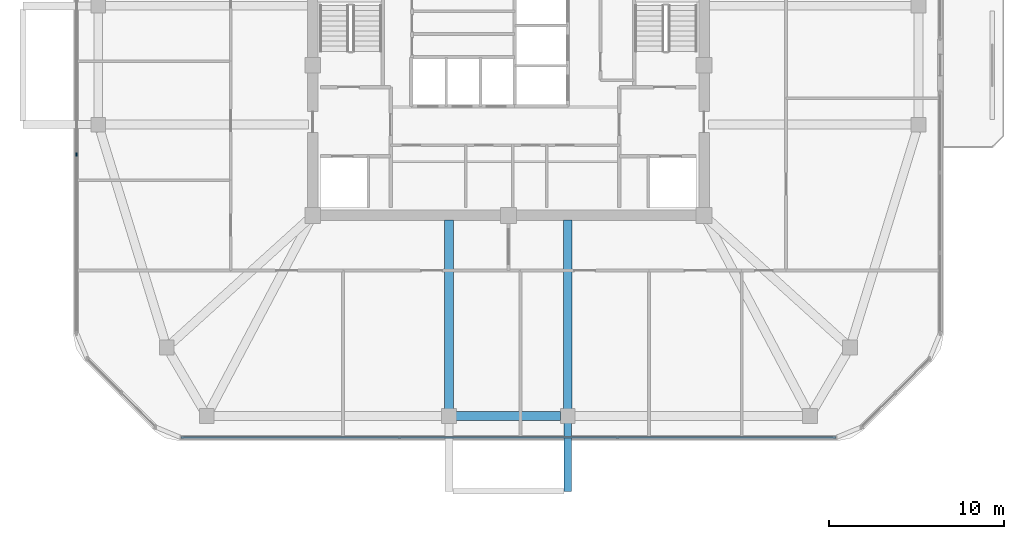
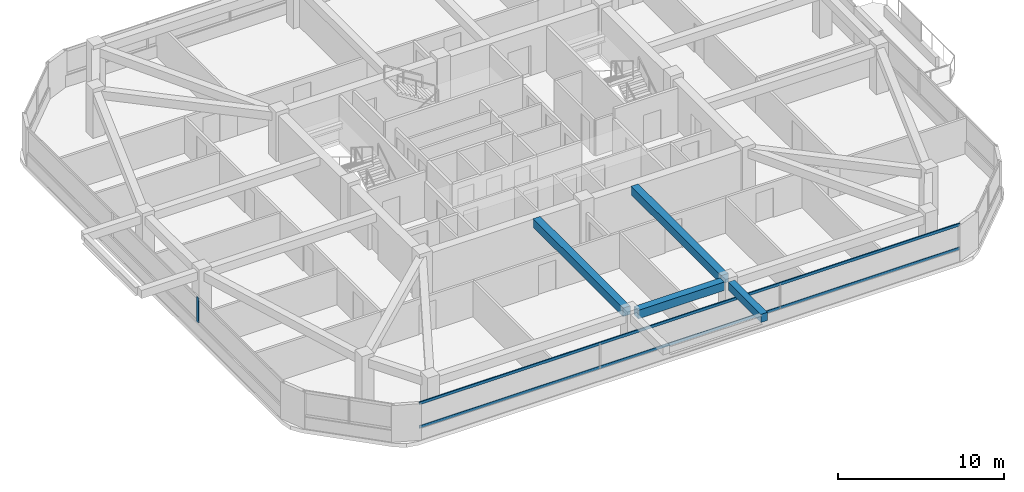
# One storey, part 3 of 14: 4 beams, 3 members, 2 elements without a shape of their own.
"""IFC4 building model written with IfcOpenShell, lengths in metres."""

from ifc_helpers import new_model, si_unit, derived_unit, direction, frame, origin, origin_2d, place, context, subcontext, project, spatial, rectangle, extrude, material, material_profile, profile_set, type_object, element, aggregate, save


model = new_model("IFC4")

# Units and contexts
model_context = context("Model", 3, precision=1e-05, world=origin(), true_north=direction((0.0, 1.0)))
body_context = subcontext(model_context, "Body", "Model", "MODEL_VIEW")
ifc_project = project(units=[si_unit("LENGTHUNIT", "METRE"), si_unit("AREAUNIT", "SQUARE_METRE"), si_unit("VOLUMEUNIT", "CUBIC_METRE"), si_unit("PLANEANGLEUNIT", "RADIAN"), si_unit("MASSUNIT", "GRAM", prefix="KILO"), derived_unit("THERMALTRANSMITTANCEUNIT", [(si_unit("POWERUNIT", "WATT"), 1), (si_unit("LENGTHUNIT", "METRE"), -2), (si_unit("THERMODYNAMICTEMPERATUREUNIT", "KELVIN"), -1)])], contexts=[model_context])

# Site, building, storey
site_placement = place(None, origin())
site = spatial("IfcSite", under=ifc_project, at=site_placement, CompositionType="ELEMENT")
building_placement = place(site_placement, origin())
building = spatial("IfcBuilding", under=site, at=building_placement, Name="Koralith Skygarden Medical Center", CompositionType="ELEMENT")
storey_placement = place(building_placement, frame((0.0, 0.0, 246.419921875)))
storey = spatial("IfcBuildingStorey", under=building, at=storey_placement, Name="L63", CompositionType="ELEMENT", Elevation=246.419921875)

# Curtain wall, member
ifc_material_1 = material(Name="Clear Laminated Glass", Category="glass")
curtain_wall_type = type_object("IfcCurtainWallType", Name="CW-6 Zone 5 Upper Clinical Curtain Wall", PredefinedType="NOTDEFINED", material=ifc_material_1)
curtain_wall_1_placement = place(storey_placement, origin())
curtain_wall_1 = element("IfcCurtainWall", 1, at=curtain_wall_1_placement, inside=storey, type_object=curtain_wall_type, Name="Curtain Wall CW-L63-W", PredefinedType="NOTDEFINED")
ifc_material_2 = material(Name="Aluminium 6063-T6", Category="aluminium")
ifc_material_profile_1 = material_profile(ifc_material_2, rectangle(XDim=0.0830078125, YDim=0.219970703125, at=origin_2d()), Name="MUL83X220")
ifc_profile_set_1 = profile_set([ifc_material_profile_1], Name="Aluminium 6063-T6")
member_type_1 = type_object("IfcMemberType", Name="CW-6 Extruded Mullion 83x220", PredefinedType="MULLION", material=ifc_profile_set_1)
member_1_placement = place(storey_placement, frame((12.280029296875, 20.784912109375, 0.85009765625), z_axis=(0.0, 0.0, 1.0), x_axis=(1.0, 0.0, 0.0)))
member_1 = element("IfcMember", 2, at=member_1_placement, type_object=member_type_1, Name="CW-L63-W Mullion 3", PredefinedType="MULLION", context=body_context, shape_type="SweptSolid", body=[
    extrude(rectangle(XDim=0.0830078125, YDim=0.219970703125, at=origin_2d()), origin(), (0.0, 0.0, 1.0), 1.840087890625),
])
aggregate(curtain_wall_1, [member_1])

# Curtain wall, members
curtain_wall_2_placement = place(storey_placement, origin())
curtain_wall_2 = element("IfcCurtainWall", 3, at=curtain_wall_2_placement, inside=storey, type_object=curtain_wall_type, Name="Curtain Wall CW-L63-S", PredefinedType="NOTDEFINED")
ifc_material_profile_2 = material_profile(ifc_material_2, rectangle(XDim=0.077880859375, YDim=0.197998046875, at=origin_2d()), Name="TRN78X198")
ifc_profile_set_2 = profile_set([ifc_material_profile_2], Name="Aluminium 6063-T6")
member_type_2 = type_object("IfcMemberType", Name="CW-6 Thermal Transom 78x198", PredefinedType="USERDEFINED", material=ifc_profile_set_2)
member_2_placement = place(storey_placement, frame((18.2548828125, 4.580078125, 0.900146484375), z_axis=(1.0, 0.0, 0.0), x_axis=(0.0, 1.0, 0.0)))
member_2 = element("IfcMember", 4, at=member_2_placement, type_object=member_type_2, Name="CW-L63-S Transom 1", ObjectType="TRANSOM", PredefinedType="USERDEFINED", context=body_context, shape_type="SweptSolid", body=[
    extrude(rectangle(XDim=0.077880859375, YDim=0.197998046875, at=origin_2d()), origin(), (0.0, 0.0, 1.0), 37.490234375),
])
member_3_placement = place(storey_placement, frame((18.2548828125, 4.580078125, 2.64013671875), z_axis=(1.0, 0.0, 0.0), x_axis=(0.0, 1.0, 0.0)))
member_3 = element("IfcMember", 5, at=member_3_placement, type_object=member_type_2, Name="CW-L63-S Transom 2", ObjectType="TRANSOM", PredefinedType="USERDEFINED", context=body_context, shape_type="SweptSolid", body=[
    extrude(rectangle(XDim=0.077880859375, YDim=0.197998046875, at=origin_2d()), origin(), (0.0, 0.0, 1.0), 37.490234375),
])
aggregate(curtain_wall_2, [member_2, member_3])

# Beams
ifc_material_3 = material(Name="Concrete C45/55", Category="concrete")
ifc_material_profile_3 = material_profile(ifc_material_3, rectangle(XDim=0.449951171875, YDim=0.60009765625, at=origin_2d()), Name="RCB450X600")
ifc_profile_set_3 = profile_set([ifc_material_profile_3], Name="Concrete C45/55")
beam_type_1 = type_object("IfcBeamType", Name="Planted Balcony Cantilever Beam RCB450X600", PredefinedType="BEAM", material=ifc_profile_set_3)
beam_1_placement = place(storey_placement, frame((40.39990234375, 5.419921875, 3.0400390625), z_axis=(0.0, -1.0, 0.0), x_axis=(1.0, 0.0, 0.0)))
element("IfcBeam", 6, at=beam_1_placement, inside=storey, type_object=beam_type_1, Name="L64 S Balcony Cantilever Beam B", PredefinedType="BEAM", context=body_context, shape_type="SweptSolid", body=[
    extrude(rectangle(XDim=0.449951171875, YDim=0.60009765625, at=origin_2d()), origin(), (0.0, 0.0, 1.0), 3.919921875),
])
ifc_material_profile_4 = material_profile(ifc_material_3, rectangle(XDim=0.5, YDim=0.6201171875, at=origin_2d()), Name="RCB500X620")
ifc_profile_set_4 = profile_set([ifc_material_profile_4], Name="Concrete C45/55")
beam_type_2 = type_object("IfcBeamType", Name="Upper Radial Collector Beam RCB500X620", PredefinedType="BEAM", material=ifc_profile_set_4)
for number, where, z_axis, x_axis, name in (
    (7, (33.60009765625, 17.050048828125, 3.010009765625), (0.0, -1.0, 0.0), (1.0, 0.0, 0.0), "L63 Radial Collector Beam RB-04"),
    (8, (40.39990234375, 17.050048828125, 3.010009765625), (0.0, -1.0, 0.0), (1.0, 0.0, 0.0), "L63 Radial Collector Beam RB-05"),
):
    element("IfcBeam", number, at=place(storey_placement, frame(where, z_axis=z_axis, x_axis=x_axis)), inside=storey, type_object=beam_type_2, Name=name, PredefinedType="BEAM", context=body_context, shape_type="SweptSolid", body=[
        extrude(rectangle(XDim=0.5, YDim=0.6201171875, at=origin_2d()), origin(), (0.0, 0.0, 1.0), 10.820068359375),
    ])
ifc_material_profile_5 = material_profile(ifc_material_3, rectangle(XDim=0.5, YDim=0.6201171875, at=origin_2d()), Name="RCB500X620")
ifc_profile_set_5 = profile_set([ifc_material_profile_5], Name="Concrete C45/55")
beam_type_3 = type_object("IfcBeamType", Name="Zone 4-5 Spandrel Beam RCB500X620", PredefinedType="SPANDREL", material=ifc_profile_set_5)
beam_2_placement = place(storey_placement, frame((34.010009765625, 5.820068359375, 3.010009765625), z_axis=(1.0, 0.0, 0.0), x_axis=(0.0, 1.0, 0.0)))
element("IfcBeam", 9, at=beam_2_placement, inside=storey, type_object=beam_type_3, Name="L63 Perimeter Spandrel Beam SP-04", PredefinedType="SPANDREL", context=body_context, shape_type="SweptSolid", body=[
    extrude(rectangle(XDim=0.5, YDim=0.6201171875, at=origin_2d()), origin(), (0.0, 0.0, 1.0), 5.97998046875),
])

save(model, "model.ifc")
